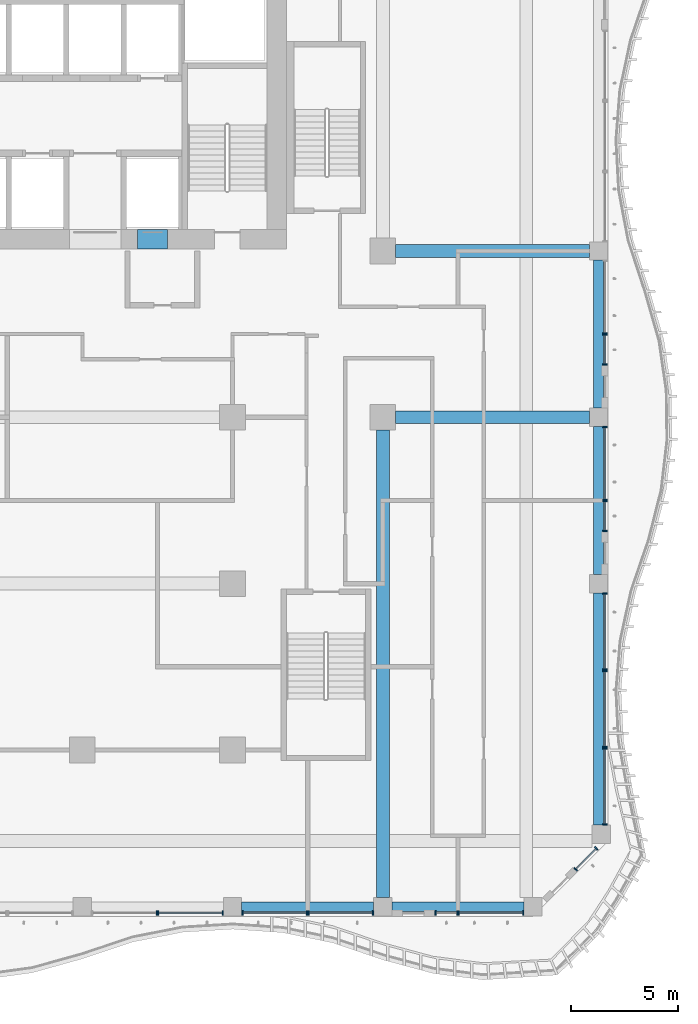
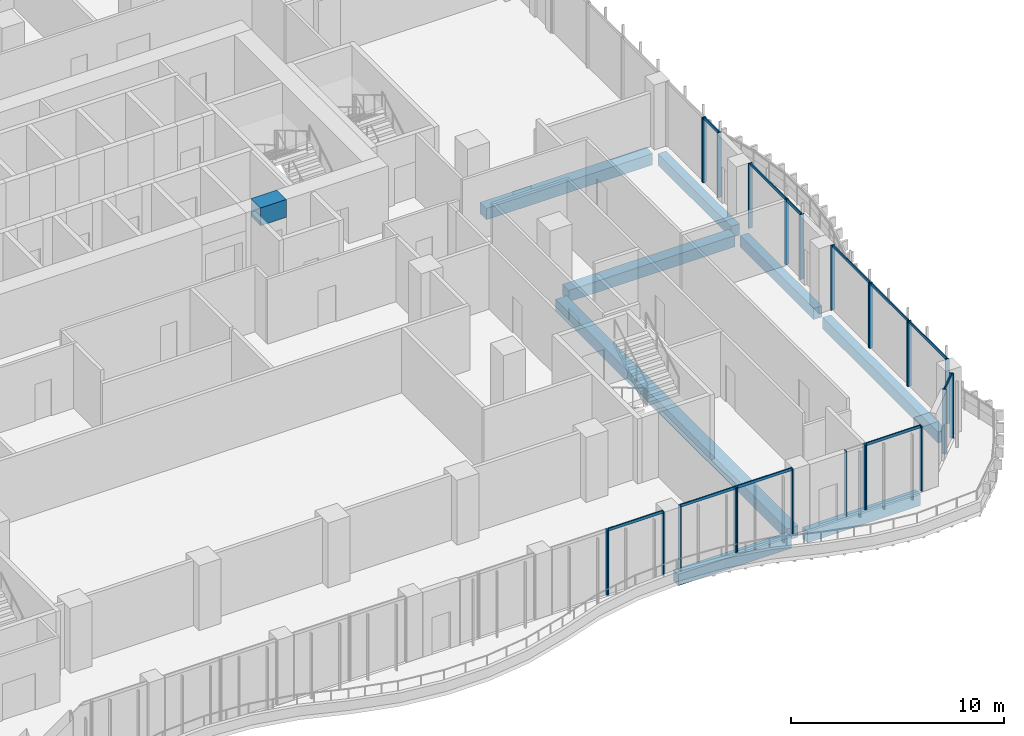
# One storey, part 6 of 27: 37 members, 9 beams, 14 elements without a shape of their own.
"""IFC4 building model written with IfcOpenShell, lengths in metres."""

from ifc_helpers import new_model, si_unit, direction, frame, origin, origin_2d, place, context, subcontext, project, spatial, rectangle, extrude, source, transform, mapped, material, material_profile, profile_set, type_object, element, aggregate, save


model = new_model("IFC4")

# Units and contexts
model_context = context("Model", 3, precision=1e-05, world=origin(), true_north=direction((0.0, 1.0)))
body_context = subcontext(model_context, "Body", "Model", "MODEL_VIEW")
ifc_project = project(units=[si_unit("LENGTHUNIT", "METRE"), si_unit("AREAUNIT", "SQUARE_METRE"), si_unit("VOLUMEUNIT", "CUBIC_METRE"), si_unit("PLANEANGLEUNIT", "RADIAN"), si_unit("MASSUNIT", "GRAM", prefix="KILO")], contexts=[model_context])

# Site, building, storey
site_placement = place(None, origin())
site = spatial("IfcSite", under=ifc_project, at=site_placement, CompositionType="ELEMENT")
building_placement = place(site_placement, origin())
building = spatial("IfcBuilding", under=site, at=building_placement, Name="Kilnfold Tower and Market Hall", CompositionType="ELEMENT")
storey_placement = place(building_placement, frame((0.0, 0.0, 116.60009765625)))
storey = spatial("IfcBuildingStorey", under=building, at=storey_placement, Name="L27", CompositionType="ELEMENT", Elevation=116.60009765625)

# Beams
ifc_material_1 = material(Name="Concrete C70", Category="concrete")
ifc_material_profile_1 = material_profile(ifc_material_1, rectangle(XDim=0.89990234375, YDim=1.02001953125, at=origin_2d()), Name="RC 900x1020")
ifc_profile_set_1 = profile_set([ifc_material_profile_1], Name="Concrete C70")
beam_type_1 = type_object("IfcBeamType", Name="COUPLING BEAM 900X1020 C70", PredefinedType="BEAM", material=ifc_profile_set_1)
shared_shape_1 = source(origin(), body_context, "Body", "SweptSolid", [
    extrude(rectangle(XDim=0.89990234375, YDim=1.02001953125, at=origin_2d()), origin(), (0.0, 0.0, 1.0), 1.39990234375),
])
beam_1_placement = place(storey_placement, frame((11.070068359375, 8.550048828125, 3.2099609375), z_axis=(1.0, 0.0, 0.0), x_axis=(0.0, 1.0, 0.0)))
element("IfcBeam", 1, at=beam_1_placement, inside=storey, type_object=beam_type_1, Name="Coupling beam CB1020-70-CORE.43", PredefinedType="BEAM", context=body_context, shape_type="MappedRepresentation", body=[
    mapped(shared_shape_1, transform((0.0, 0.0, 0.0))),
])
ifc_material_2 = material(Name="Concrete C45", Category="concrete")
ifc_material_profile_2 = material_profile(ifc_material_2, rectangle(XDim=0.449951171875, YDim=0.64990234375, at=origin_2d()), Name="RC 450x650")
ifc_profile_set_2 = profile_set([ifc_material_profile_2], Name="Concrete C45")
beam_type_2 = type_object("IfcBeamType", Name="EDGE BEAM 450X650 C45", PredefinedType="BEAM", material=ifc_profile_set_2)
shared_shape_2 = source(origin(), body_context, "Body", "SweptSolid", [
    extrude(rectangle(XDim=0.449951171875, YDim=0.64990234375, at=origin_2d()), origin(), (0.0, 0.0, 1.0), 6.14990234375),
])
for number, where, z_axis, x_axis, name in (
    (2, (15.925048828125, -22.550048828125, -0.60498046875), (1.0, 0.0, 0.0), (0.0, 1.0, 0.0), "Beam EB650-B3.57"),
    (3, (22.925048828125, -22.550048828125, -0.60498046875), (1.0, 0.0, 0.0), (0.0, 1.0, 0.0), "Beam EB650-B3.58"),
):
    element("IfcBeam", number, at=place(storey_placement, frame(where, z_axis=z_axis, x_axis=x_axis)), inside=storey, type_object=beam_type_2, Name=name, PredefinedType="BEAM", context=body_context, shape_type="MappedRepresentation", body=[
        mapped(shared_shape_2, transform((0.0, 0.0, 0.0))),
    ])
ifc_material_3 = material(Name="Concrete C45", Category="concrete")
ifc_material_profile_3 = material_profile(ifc_material_3, rectangle(XDim=0.60009765625, YDim=0.64990234375, at=origin_2d()), Name="RC 600x650")
ifc_profile_set_3 = profile_set([ifc_material_profile_3], Name="Concrete C45")
beam_type_3 = type_object("IfcBeamType", Name="BEAM 600X650 C45", PredefinedType="BEAM", material=ifc_profile_set_3)
shared_shape_3 = source(origin(), body_context, "Body", "SweptSolid", [
    extrude(rectangle(XDim=0.60009765625, YDim=0.64990234375, at=origin_2d()), origin(), (0.0, 0.0, 1.0), 9.02490234375),
])
for number, where, z_axis, x_axis, name in (
    (4, (23.10009765625, 0.25, -0.60498046875), (1.0, 0.0, 0.0), (0.0, 1.0, 0.0), "Beam BB650-B3.63"),
    (5, (23.10009765625, 8.0, -0.60498046875), (1.0, 0.0, 0.0), (0.0, 1.0, 0.0), "Beam BB650-B3.64"),
):
    element("IfcBeam", number, at=place(storey_placement, frame(where, z_axis=z_axis, x_axis=x_axis)), inside=storey, type_object=beam_type_3, Name=name, PredefinedType="BEAM", context=body_context, shape_type="MappedRepresentation", body=[
        mapped(shared_shape_3, transform((0.0, 0.0, 0.0))),
    ])
shared_shape_4 = source(origin(), body_context, "Body", "SweptSolid", [
    extrude(rectangle(XDim=0.449951171875, YDim=0.64990234375, at=origin_2d()), origin(), (0.0, 0.0, 1.0), 6.89990234375),
])
for number, where, z_axis, x_axis, name in (
    (6, (32.550048828125, -7.074951171875, -0.60498046875), (0.0, 1.0, 0.0), (-1.0, 0.0, 0.0), "Beam EB650-B3.84"),
    (7, (32.550048828125, 0.675048828125, -0.60498046875), (0.0, 1.0, 0.0), (-1.0, 0.0, 0.0), "Beam EB650-B3.85"),
):
    element("IfcBeam", number, at=place(storey_placement, frame(where, z_axis=z_axis, x_axis=x_axis)), inside=storey, type_object=beam_type_2, Name=name, PredefinedType="BEAM", context=body_context, shape_type="MappedRepresentation", body=[
        mapped(shared_shape_4, transform((0.0, 0.0, 0.0))),
    ])
shared_shape_5 = source(origin(), body_context, "Body", "SweptSolid", [
    extrude(rectangle(XDim=0.60009765625, YDim=0.64990234375, at=origin_2d()), origin(), (0.0, 0.0, 1.0), 21.77490234375),
])
beam_2_placement = place(storey_placement, frame((22.5, -22.125, -0.60498046875), z_axis=(0.0, 1.0, 0.0), x_axis=(-1.0, 0.0, 0.0)))
element("IfcBeam", 8, at=beam_2_placement, inside=storey, type_object=beam_type_3, Name="Beam BB650-B3.80", PredefinedType="BEAM", context=body_context, shape_type="MappedRepresentation", body=[
    mapped(shared_shape_5, transform((0.0, 0.0, 0.0))),
])
shared_shape_6 = source(origin(), body_context, "Body", "SweptSolid", [
    extrude(rectangle(XDim=0.449951171875, YDim=0.64990234375, at=origin_2d()), origin(), (0.0, 0.0, 1.0), 10.831787109375),
])
beam_3_placement = place(storey_placement, frame((32.550048828125, -18.7568359375, -0.60498046875), z_axis=(0.0, 1.0, 0.0), x_axis=(-1.0, 0.0, 0.0)))
element("IfcBeam", 9, at=beam_3_placement, inside=storey, type_object=beam_type_2, Name="Beam EB650-B3.83", PredefinedType="BEAM", context=body_context, shape_type="MappedRepresentation", body=[
    mapped(shared_shape_6, transform((0.0, 0.0, 0.0))),
])

# Curtain wall, member
ifc_material_4 = material(Name="Aluminium and double glazing", Category="aluminium")
curtain_wall_type = type_object("IfcCurtainWallType", Name="CW OF2 VALLEY GLAZING", PredefinedType="NOTDEFINED", material=ifc_material_4)
curtain_wall_1_placement = place(storey_placement, origin())
curtain_wall_1 = element("IfcCurtainWall", 10, at=curtain_wall_1_placement, inside=storey, type_object=curtain_wall_type, Name="Curtain wall CW2 L27 S", PredefinedType="NOTDEFINED")
ifc_material_5 = material(Name="Aluminium", Category="aluminium")
ifc_material_profile_4 = material_profile(ifc_material_5, rectangle(XDim=0.06005859375, YDim=0.199951171875, at=origin_2d()), Name="MULLION 60x200")
ifc_profile_set_4 = profile_set([ifc_material_profile_4], Name="Aluminium")
member_type_1 = type_object("IfcMemberType", Name="MULLION 60X200", PredefinedType="MULLION", material=ifc_profile_set_4)
shared_shape_7 = source(origin(), body_context, "Body", "SweptSolid", [
    extrude(rectangle(XDim=0.06005859375, YDim=0.199951171875, at=origin_2d()), origin(), (0.0, 0.0, 1.0), 3.719970703125),
])
member_1_placement = place(storey_placement, frame((11.969970703125, -22.85009765625, 0.0), z_axis=(0.0, 0.0, 1.0), x_axis=(1.0, 0.0, 0.0)))
member_1 = element("IfcMember", 11, at=member_1_placement, type_object=member_type_1, Name="CW2 mullion 2", PredefinedType="MULLION", context=body_context, shape_type="MappedRepresentation", body=[
    mapped(shared_shape_7, transform((0.0, 0.0, 0.0))),
])
aggregate(curtain_wall_1, [member_1])

# Curtain wall, members
curtain_wall_2_placement = place(storey_placement, origin())
curtain_wall_2 = element("IfcCurtainWall", 12, at=curtain_wall_2_placement, inside=storey, type_object=curtain_wall_type, Name="Curtain wall CW2 L27 S", PredefinedType="NOTDEFINED")
member_2_placement = place(storey_placement, frame((12.030029296875, -22.85009765625, 0.0), z_axis=(0.0, 0.0, 1.0), x_axis=(1.0, 0.0, 0.0)))
member_2 = element("IfcMember", 13, at=member_2_placement, type_object=member_type_1, Name="CW2 mullion 1", PredefinedType="MULLION", context=body_context, shape_type="MappedRepresentation", body=[
    mapped(shared_shape_7, transform((0.0, 0.0, 0.0))),
])
member_3_placement = place(storey_placement, frame((15.044921875, -22.85009765625, 0.0), z_axis=(0.0, 0.0, 1.0), x_axis=(1.0, 0.0, 0.0)))
member_3 = element("IfcMember", 14, at=member_3_placement, type_object=member_type_1, Name="CW2 mullion 2", PredefinedType="MULLION", context=body_context, shape_type="MappedRepresentation", body=[
    mapped(shared_shape_7, transform((0.0, 0.0, 0.0))),
])

curtain_wall_3_placement = place(storey_placement, origin())
curtain_wall_3 = element("IfcCurtainWall", 15, at=curtain_wall_3_placement, inside=storey, type_object=curtain_wall_type, Name="Curtain wall CW2 L27 S", PredefinedType="NOTDEFINED")
member_4_placement = place(storey_placement, frame((15.955078125, -22.85009765625, 0.0), z_axis=(0.0, 0.0, 1.0), x_axis=(1.0, 0.0, 0.0)))
member_4 = element("IfcMember", 16, at=member_4_placement, type_object=member_type_1, Name="CW2 mullion 1", PredefinedType="MULLION", context=body_context, shape_type="MappedRepresentation", body=[
    mapped(shared_shape_7, transform((0.0, 0.0, 0.0))),
])
member_5_placement = place(storey_placement, frame((18.969970703125, -22.85009765625, 0.0), z_axis=(0.0, 0.0, 1.0), x_axis=(1.0, 0.0, 0.0)))
member_5 = element("IfcMember", 17, at=member_5_placement, type_object=member_type_1, Name="CW2 mullion 2", PredefinedType="MULLION", context=body_context, shape_type="MappedRepresentation", body=[
    mapped(shared_shape_7, transform((0.0, 0.0, 0.0))),
])

curtain_wall_4_placement = place(storey_placement, origin())
curtain_wall_4 = element("IfcCurtainWall", 18, at=curtain_wall_4_placement, inside=storey, type_object=curtain_wall_type, Name="Curtain wall CW2 L27 S", PredefinedType="NOTDEFINED")
member_6_placement = place(storey_placement, frame((19.030029296875, -22.85009765625, 0.0), z_axis=(0.0, 0.0, 1.0), x_axis=(1.0, 0.0, 0.0)))
member_6 = element("IfcMember", 19, at=member_6_placement, type_object=member_type_1, Name="CW2 mullion 1", PredefinedType="MULLION", context=body_context, shape_type="MappedRepresentation", body=[
    mapped(shared_shape_7, transform((0.0, 0.0, 0.0))),
])
member_7_placement = place(storey_placement, frame((22.044921875, -22.85009765625, 0.0), z_axis=(0.0, 0.0, 1.0), x_axis=(1.0, 0.0, 0.0)))
member_7 = element("IfcMember", 20, at=member_7_placement, type_object=member_type_1, Name="CW2 mullion 2", PredefinedType="MULLION", context=body_context, shape_type="MappedRepresentation", body=[
    mapped(shared_shape_7, transform((0.0, 0.0, 0.0))),
])

curtain_wall_5_placement = place(storey_placement, origin())
curtain_wall_5 = element("IfcCurtainWall", 21, at=curtain_wall_5_placement, inside=storey, type_object=curtain_wall_type, Name="Curtain wall CW2 L27 S", PredefinedType="NOTDEFINED")
member_8_placement = place(storey_placement, frame((24.955078125, -22.85009765625, 0.0), z_axis=(0.0, 0.0, 1.0), x_axis=(1.0, 0.0, 0.0)))
member_8 = element("IfcMember", 22, at=member_8_placement, type_object=member_type_1, Name="CW2 mullion 1", PredefinedType="MULLION", context=body_context, shape_type="MappedRepresentation", body=[
    mapped(shared_shape_7, transform((0.0, 0.0, 0.0))),
])
member_9_placement = place(storey_placement, frame((25.969970703125, -22.85009765625, 0.0), z_axis=(0.0, 0.0, 1.0), x_axis=(1.0, 0.0, 0.0)))
member_9 = element("IfcMember", 23, at=member_9_placement, type_object=member_type_1, Name="CW2 mullion 2", PredefinedType="MULLION", context=body_context, shape_type="MappedRepresentation", body=[
    mapped(shared_shape_7, transform((0.0, 0.0, 0.0))),
])
aggregate(curtain_wall_5, [member_8, member_9])

curtain_wall_6_placement = place(storey_placement, origin())
curtain_wall_6 = element("IfcCurtainWall", 24, at=curtain_wall_6_placement, inside=storey, type_object=curtain_wall_type, Name="Curtain wall CW2 L27 S", PredefinedType="NOTDEFINED")
member_10_placement = place(storey_placement, frame((26.030029296875, -22.85009765625, 0.0), z_axis=(0.0, 0.0, 1.0), x_axis=(1.0, 0.0, 0.0)))
member_10 = element("IfcMember", 25, at=member_10_placement, type_object=member_type_1, Name="CW2 mullion 1", PredefinedType="MULLION", context=body_context, shape_type="MappedRepresentation", body=[
    mapped(shared_shape_7, transform((0.0, 0.0, 0.0))),
])
member_11_placement = place(storey_placement, frame((29.044921875, -22.85009765625, 0.0), z_axis=(0.0, 0.0, 1.0), x_axis=(1.0, 0.0, 0.0)))
member_11 = element("IfcMember", 26, at=member_11_placement, type_object=member_type_1, Name="CW2 mullion 2", PredefinedType="MULLION", context=body_context, shape_type="MappedRepresentation", body=[
    mapped(shared_shape_7, transform((0.0, 0.0, 0.0))),
])

curtain_wall_7_placement = place(storey_placement, origin())
curtain_wall_7 = element("IfcCurtainWall", 27, at=curtain_wall_7_placement, inside=storey, type_object=curtain_wall_type, Name="Curtain wall CW2 L27 SE", PredefinedType="NOTDEFINED")
member_12_placement = place(storey_placement, frame((31.479248046875, -20.80859375, 0.0), z_axis=(0.0, 0.0, 1.0), x_axis=(0.707106781187, 0.707106781187, 0.0)))
member_12 = element("IfcMember", 28, at=member_12_placement, type_object=member_type_1, Name="CW2 mullion 1", PredefinedType="MULLION", context=body_context, shape_type="MappedRepresentation", body=[
    mapped(shared_shape_7, transform((0.0, 0.0, 0.0))),
])
member_13_placement = place(storey_placement, frame((32.44775390625, -19.840087890625, 0.0), z_axis=(0.0, 0.0, 1.0), x_axis=(0.707106781187, 0.707106781187, 0.0)))
member_13 = element("IfcMember", 29, at=member_13_placement, type_object=member_type_1, Name="CW2 mullion 2", PredefinedType="MULLION", context=body_context, shape_type="MappedRepresentation", body=[
    mapped(shared_shape_7, transform((0.0, 0.0, 0.0))),
])

curtain_wall_8_placement = place(storey_placement, origin())
curtain_wall_8 = element("IfcCurtainWall", 30, at=curtain_wall_8_placement, inside=storey, type_object=curtain_wall_type, Name="Curtain wall CW2 L27 E", PredefinedType="NOTDEFINED")
member_14_placement = place(storey_placement, frame((32.85009765625, -18.726806640625, 0.0), z_axis=(0.0, 0.0, 1.0), x_axis=(0.0, 1.0, 0.0)))
member_14 = element("IfcMember", 31, at=member_14_placement, type_object=member_type_1, Name="CW2 mullion 1", PredefinedType="MULLION", context=body_context, shape_type="MappedRepresentation", body=[
    mapped(shared_shape_7, transform((0.0, 0.0, 0.0))),
])
member_15_placement = place(storey_placement, frame((32.85009765625, -15.17626953125, 0.0), z_axis=(0.0, 0.0, 1.0), x_axis=(0.0, 1.0, 0.0)))
member_15 = element("IfcMember", 32, at=member_15_placement, type_object=member_type_1, Name="CW2 mullion 2", PredefinedType="MULLION", context=body_context, shape_type="MappedRepresentation", body=[
    mapped(shared_shape_7, transform((0.0, 0.0, 0.0))),
])

curtain_wall_9_placement = place(storey_placement, origin())
curtain_wall_9 = element("IfcCurtainWall", 33, at=curtain_wall_9_placement, inside=storey, type_object=curtain_wall_type, Name="Curtain wall CW2 L27 E", PredefinedType="NOTDEFINED")
member_16_placement = place(storey_placement, frame((32.85009765625, -15.1162109375, 0.0), z_axis=(0.0, 0.0, 1.0), x_axis=(0.0, 1.0, 0.0)))
member_16 = element("IfcMember", 34, at=member_16_placement, type_object=member_type_1, Name="CW2 mullion 1", PredefinedType="MULLION", context=body_context, shape_type="MappedRepresentation", body=[
    mapped(shared_shape_7, transform((0.0, 0.0, 0.0))),
])
member_17_placement = place(storey_placement, frame((32.85009765625, -11.565673828125, 0.0), z_axis=(0.0, 0.0, 1.0), x_axis=(0.0, 1.0, 0.0)))
member_17 = element("IfcMember", 35, at=member_17_placement, type_object=member_type_1, Name="CW2 mullion 2", PredefinedType="MULLION", context=body_context, shape_type="MappedRepresentation", body=[
    mapped(shared_shape_7, transform((0.0, 0.0, 0.0))),
])

curtain_wall_10_placement = place(storey_placement, origin())
curtain_wall_10 = element("IfcCurtainWall", 36, at=curtain_wall_10_placement, inside=storey, type_object=curtain_wall_type, Name="Curtain wall CW2 L27 E", PredefinedType="NOTDEFINED")
member_18_placement = place(storey_placement, frame((32.85009765625, -11.505615234375, 0.0), z_axis=(0.0, 0.0, 1.0), x_axis=(0.0, 1.0, 0.0)))
member_18 = element("IfcMember", 37, at=member_18_placement, type_object=member_type_1, Name="CW2 mullion 1", PredefinedType="MULLION", context=body_context, shape_type="MappedRepresentation", body=[
    mapped(shared_shape_7, transform((0.0, 0.0, 0.0))),
])
member_19_placement = place(storey_placement, frame((32.85009765625, -7.955078125, 0.0), z_axis=(0.0, 0.0, 1.0), x_axis=(0.0, 1.0, 0.0)))
member_19 = element("IfcMember", 38, at=member_19_placement, type_object=member_type_1, Name="CW2 mullion 2", PredefinedType="MULLION", context=body_context, shape_type="MappedRepresentation", body=[
    mapped(shared_shape_7, transform((0.0, 0.0, 0.0))),
])

curtain_wall_11_placement = place(storey_placement, origin())
curtain_wall_11 = element("IfcCurtainWall", 39, at=curtain_wall_11_placement, inside=storey, type_object=curtain_wall_type, Name="Curtain wall CW2 L27 E", PredefinedType="NOTDEFINED")
member_20_placement = place(storey_placement, frame((32.85009765625, -5.044921875, 0.0), z_axis=(0.0, 0.0, 1.0), x_axis=(0.0, 1.0, 0.0)))
member_20 = element("IfcMember", 40, at=member_20_placement, type_object=member_type_1, Name="CW2 mullion 1", PredefinedType="MULLION", context=body_context, shape_type="MappedRepresentation", body=[
    mapped(shared_shape_7, transform((0.0, 0.0, 0.0))),
])
member_21_placement = place(storey_placement, frame((32.85009765625, -3.655029296875, 0.0), z_axis=(0.0, 0.0, 1.0), x_axis=(0.0, 1.0, 0.0)))
member_21 = element("IfcMember", 41, at=member_21_placement, type_object=member_type_1, Name="CW2 mullion 2", PredefinedType="MULLION", context=body_context, shape_type="MappedRepresentation", body=[
    mapped(shared_shape_7, transform((0.0, 0.0, 0.0))),
])

curtain_wall_12_placement = place(storey_placement, origin())
curtain_wall_12 = element("IfcCurtainWall", 42, at=curtain_wall_12_placement, inside=storey, type_object=curtain_wall_type, Name="Curtain wall CW2 L27 E", PredefinedType="NOTDEFINED")
member_22_placement = place(storey_placement, frame((32.85009765625, -3.594970703125, 0.0), z_axis=(0.0, 0.0, 1.0), x_axis=(0.0, 1.0, 0.0)))
member_22 = element("IfcMember", 43, at=member_22_placement, type_object=member_type_1, Name="CW2 mullion 1", PredefinedType="MULLION", context=body_context, shape_type="MappedRepresentation", body=[
    mapped(shared_shape_7, transform((0.0, 0.0, 0.0))),
])
member_23_placement = place(storey_placement, frame((32.85009765625, -0.205078125, 0.0), z_axis=(0.0, 0.0, 1.0), x_axis=(0.0, 1.0, 0.0)))
member_23 = element("IfcMember", 44, at=member_23_placement, type_object=member_type_1, Name="CW2 mullion 2", PredefinedType="MULLION", context=body_context, shape_type="MappedRepresentation", body=[
    mapped(shared_shape_7, transform((0.0, 0.0, 0.0))),
])

curtain_wall_13_placement = place(storey_placement, origin())
curtain_wall_13 = element("IfcCurtainWall", 45, at=curtain_wall_13_placement, inside=storey, type_object=curtain_wall_type, Name="Curtain wall CW2 L27 E", PredefinedType="NOTDEFINED")
member_24_placement = place(storey_placement, frame((32.85009765625, 2.705078125, 0.0), z_axis=(0.0, 0.0, 1.0), x_axis=(0.0, 1.0, 0.0)))
member_24 = element("IfcMember", 46, at=member_24_placement, type_object=member_type_1, Name="CW2 mullion 1", PredefinedType="MULLION", context=body_context, shape_type="MappedRepresentation", body=[
    mapped(shared_shape_7, transform((0.0, 0.0, 0.0))),
])
member_25_placement = place(storey_placement, frame((32.85009765625, 4.094970703125, 0.0), z_axis=(0.0, 0.0, 1.0), x_axis=(0.0, 1.0, 0.0)))
member_25 = element("IfcMember", 47, at=member_25_placement, type_object=member_type_1, Name="CW2 mullion 2", PredefinedType="MULLION", context=body_context, shape_type="MappedRepresentation", body=[
    mapped(shared_shape_7, transform((0.0, 0.0, 0.0))),
])

# Curtain wall, member
curtain_wall_14_placement = place(storey_placement, origin())
curtain_wall_14 = element("IfcCurtainWall", 48, at=curtain_wall_14_placement, inside=storey, type_object=curtain_wall_type, Name="Curtain wall CW2 L27 E", PredefinedType="NOTDEFINED")
member_26_placement = place(storey_placement, frame((32.85009765625, 4.155029296875, 0.0), z_axis=(0.0, 0.0, 1.0), x_axis=(0.0, 1.0, 0.0)))
member_26 = element("IfcMember", 49, at=member_26_placement, type_object=member_type_1, Name="CW2 mullion 1", PredefinedType="MULLION", context=body_context, shape_type="MappedRepresentation", body=[
    mapped(shared_shape_7, transform((0.0, 0.0, 0.0))),
])
aggregate(curtain_wall_14, [member_26])

# Member
ifc_material_6 = material(Name="Aluminium", Category="aluminium")
ifc_material_profile_5 = material_profile(ifc_material_6, rectangle(XDim=0.06005859375, YDim=0.159912109375, at=origin_2d()), Name="TRANSOM 60x160")
ifc_profile_set_5 = profile_set([ifc_material_profile_5], Name="Aluminium")
member_type_2 = type_object("IfcMemberType", Name="TRANSOM 60X160", PredefinedType="USERDEFINED", material=ifc_profile_set_5)
shared_shape_8 = source(origin(), body_context, "Body", "SweptSolid", [
    extrude(rectangle(XDim=0.06005859375, YDim=0.159912109375, at=origin_2d()), origin(), (0.0, 0.0, 1.0), 2.954833984375),
])
member_27_placement = place(storey_placement, frame((12.06005859375, -22.85009765625, 3.68994140625), z_axis=(1.0, 0.0, 0.0), x_axis=(0.0, 1.0, 0.0)))
member_27 = element("IfcMember", 50, at=member_27_placement, type_object=member_type_2, Name="CW2 transom 1.2", ObjectType="TRANSOM", PredefinedType="USERDEFINED", context=body_context, shape_type="MappedRepresentation", body=[
    mapped(shared_shape_8, transform((0.0, 0.0, 0.0))),
])

aggregate(curtain_wall_2, [member_2, member_3, member_27])

member_28_placement = place(storey_placement, frame((15.985107421875, -22.85009765625, 3.68994140625), z_axis=(1.0, 0.0, 0.0), x_axis=(0.0, 1.0, 0.0)))
member_28 = element("IfcMember", 51, at=member_28_placement, type_object=member_type_2, Name="CW2 transom 1.2", ObjectType="TRANSOM", PredefinedType="USERDEFINED", context=body_context, shape_type="MappedRepresentation", body=[
    mapped(shared_shape_8, transform((0.0, 0.0, 0.0))),
])

aggregate(curtain_wall_3, [member_4, member_5, member_28])

member_29_placement = place(storey_placement, frame((19.06005859375, -22.85009765625, 3.68994140625), z_axis=(1.0, 0.0, 0.0), x_axis=(0.0, 1.0, 0.0)))
member_29 = element("IfcMember", 52, at=member_29_placement, type_object=member_type_2, Name="CW2 transom 1.2", ObjectType="TRANSOM", PredefinedType="USERDEFINED", context=body_context, shape_type="MappedRepresentation", body=[
    mapped(shared_shape_8, transform((0.0, 0.0, 0.0))),
])

aggregate(curtain_wall_4, [member_6, member_7, member_29])

member_30_placement = place(storey_placement, frame((26.06005859375, -22.85009765625, 3.68994140625), z_axis=(1.0, 0.0, 0.0), x_axis=(0.0, 1.0, 0.0)))
member_30 = element("IfcMember", 53, at=member_30_placement, type_object=member_type_2, Name="CW2 transom 1.2", ObjectType="TRANSOM", PredefinedType="USERDEFINED", context=body_context, shape_type="MappedRepresentation", body=[
    mapped(shared_shape_8, transform((0.0, 0.0, 0.0))),
])

aggregate(curtain_wall_6, [member_10, member_11, member_30])

shared_shape_9 = source(origin(), body_context, "Body", "SweptSolid", [
    extrude(rectangle(XDim=0.06005859375, YDim=0.159912109375, at=origin_2d()), origin(), (0.0, 0.0, 1.0), 1.3095703125),
])
member_31_placement = place(storey_placement, frame((31.50048828125, -20.787353515625, 3.68994140625), z_axis=(0.707106781187, 0.707106781187, 0.0), x_axis=(-0.707106781187, 0.707106781187, 0.0)))
member_31 = element("IfcMember", 54, at=member_31_placement, type_object=member_type_2, Name="CW2 transom 1.2", ObjectType="TRANSOM", PredefinedType="USERDEFINED", context=body_context, shape_type="MappedRepresentation", body=[
    mapped(shared_shape_9, transform((0.0, 0.0, 0.0))),
])

aggregate(curtain_wall_7, [member_12, member_13, member_31])

shared_shape_10 = source(origin(), body_context, "Body", "SweptSolid", [
    extrude(rectangle(XDim=0.06005859375, YDim=0.159912109375, at=origin_2d()), origin(), (0.0, 0.0, 1.0), 3.490478515625),
])
member_32_placement = place(storey_placement, frame((32.85009765625, -18.69677734375, 3.68994140625), z_axis=(0.0, 1.0, 0.0), x_axis=(-1.0, 0.0, 0.0)))
member_32 = element("IfcMember", 55, at=member_32_placement, type_object=member_type_2, Name="CW2 transom 1.2", ObjectType="TRANSOM", PredefinedType="USERDEFINED", context=body_context, shape_type="MappedRepresentation", body=[
    mapped(shared_shape_10, transform((0.0, 0.0, 0.0))),
])

aggregate(curtain_wall_8, [member_14, member_15, member_32])

member_33_placement = place(storey_placement, frame((32.85009765625, -15.086181640625, 3.68994140625), z_axis=(0.0, 1.0, 0.0), x_axis=(-1.0, 0.0, 0.0)))
member_33 = element("IfcMember", 56, at=member_33_placement, type_object=member_type_2, Name="CW2 transom 1.2", ObjectType="TRANSOM", PredefinedType="USERDEFINED", context=body_context, shape_type="MappedRepresentation", body=[
    mapped(shared_shape_10, transform((0.0, 0.0, 0.0))),
])

aggregate(curtain_wall_9, [member_16, member_17, member_33])

member_34_placement = place(storey_placement, frame((32.85009765625, -11.4755859375, 3.68994140625), z_axis=(0.0, 1.0, 0.0), x_axis=(-1.0, 0.0, 0.0)))
member_34 = element("IfcMember", 57, at=member_34_placement, type_object=member_type_2, Name="CW2 transom 1.2", ObjectType="TRANSOM", PredefinedType="USERDEFINED", context=body_context, shape_type="MappedRepresentation", body=[
    mapped(shared_shape_10, transform((0.0, 0.0, 0.0))),
])

aggregate(curtain_wall_10, [member_18, member_19, member_34])

shared_shape_11 = source(origin(), body_context, "Body", "SweptSolid", [
    extrude(rectangle(XDim=0.06005859375, YDim=0.159912109375, at=origin_2d()), origin(), (0.0, 0.0, 1.0), 3.329833984375),
])
member_35_placement = place(storey_placement, frame((32.85009765625, -3.56494140625, 3.68994140625), z_axis=(0.0, 1.0, 0.0), x_axis=(-1.0, 0.0, 0.0)))
member_35 = element("IfcMember", 58, at=member_35_placement, type_object=member_type_2, Name="CW2 transom 1.2", ObjectType="TRANSOM", PredefinedType="USERDEFINED", context=body_context, shape_type="MappedRepresentation", body=[
    mapped(shared_shape_11, transform((0.0, 0.0, 0.0))),
])

aggregate(curtain_wall_12, [member_22, member_23, member_35])

shared_shape_12 = source(origin(), body_context, "Body", "SweptSolid", [
    extrude(rectangle(XDim=0.06005859375, YDim=0.159912109375, at=origin_2d()), origin(), (0.0, 0.0, 1.0), 1.329833984375),
])
member_36_placement = place(storey_placement, frame((32.85009765625, -5.014892578125, 3.68994140625), z_axis=(0.0, 1.0, 0.0), x_axis=(-1.0, 0.0, 0.0)))
member_36 = element("IfcMember", 59, at=member_36_placement, type_object=member_type_2, Name="CW2 transom 1.2", ObjectType="TRANSOM", PredefinedType="USERDEFINED", context=body_context, shape_type="MappedRepresentation", body=[
    mapped(shared_shape_12, transform((0.0, 0.0, 0.0))),
])

aggregate(curtain_wall_11, [member_20, member_21, member_36])

member_37_placement = place(storey_placement, frame((32.85009765625, 2.735107421875, 3.68994140625), z_axis=(0.0, 1.0, 0.0), x_axis=(-1.0, 0.0, 0.0)))
member_37 = element("IfcMember", 60, at=member_37_placement, type_object=member_type_2, Name="CW2 transom 1.2", ObjectType="TRANSOM", PredefinedType="USERDEFINED", context=body_context, shape_type="MappedRepresentation", body=[
    mapped(shared_shape_12, transform((0.0, 0.0, 0.0))),
])

aggregate(curtain_wall_13, [member_24, member_25, member_37])

save(model, "model.ifc")
